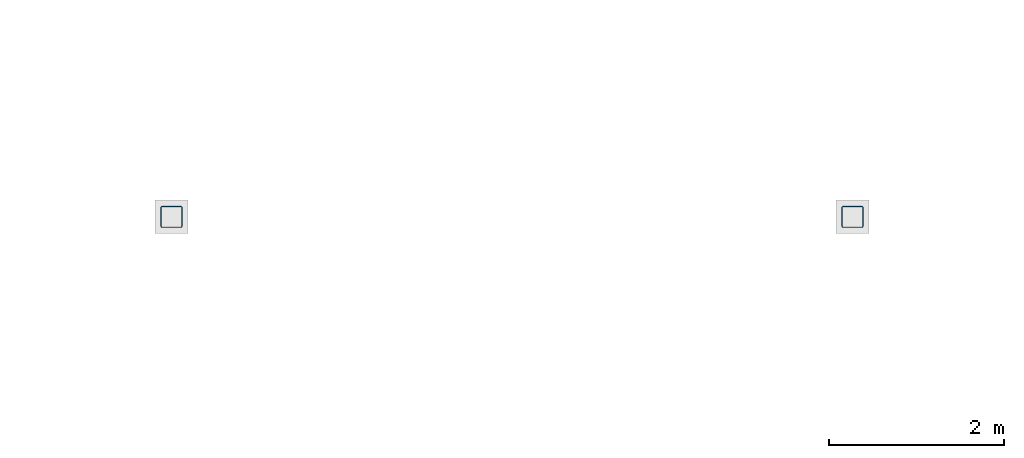
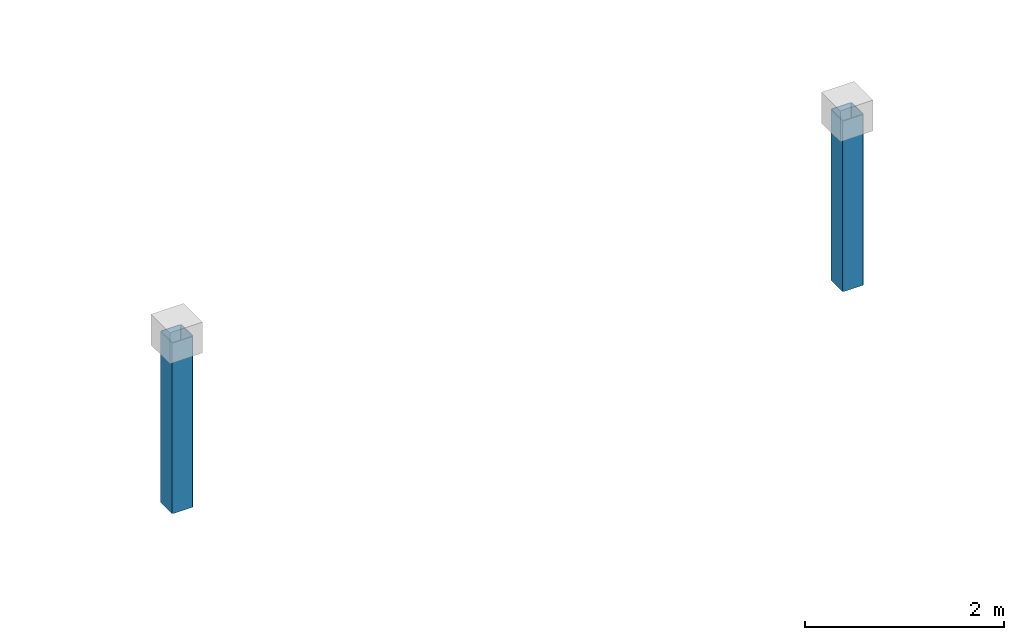
# One storey, part 2 of 17: 2 columns.
"""IFC4 building model written with IfcOpenShell, lengths in metres."""

from ifc_helpers import new_model, si_unit, direction, frame, origin, origin_2d, place, context, subcontext, project, spatial, hollow_rectangle, extrude, material, material_profile, profile_set, type_object, element, save


model = new_model("IFC4")

# Units and contexts
model_context = context("Model", 3, precision=1e-05, world=origin(), true_north=direction((0.0, 1.0)))
body_context = subcontext(model_context, "Body", "Model", "MODEL_VIEW")
ifc_project = project(units=[si_unit("LENGTHUNIT", "METRE"), si_unit("AREAUNIT", "SQUARE_METRE"), si_unit("VOLUMEUNIT", "CUBIC_METRE"), si_unit("PLANEANGLEUNIT", "RADIAN"), si_unit("MASSUNIT", "GRAM", prefix="KILO")], contexts=[model_context])

# Site, building, storey
site_placement = place(None, origin())
site = spatial("IfcSite", under=ifc_project, at=site_placement, CompositionType="ELEMENT")
building_placement = place(site_placement, origin())
building = spatial("IfcBuilding", under=site, at=building_placement, Name="Varnakota Cinema and Media Centre", CompositionType="ELEMENT")
storey_placement = place(building_placement, frame((0.0, 0.0, 22.35009765625)))
storey = spatial("IfcBuildingStorey", under=building, at=storey_placement, Name="L06", CompositionType="ELEMENT", Elevation=22.35009765625)

# Columns
ifc_material = material(Name="Structural steel S355 (YSt 355)", Category="steel")
ifc_material_profile = material_profile(ifc_material, hollow_rectangle(XDim=0.25, YDim=0.25, WallThickness=0.010009765625, InnerFilletRadius=0.010009765625, OuterFilletRadius=0.02001953125, at=origin_2d()), Name="SHS 250x250x10")
ifc_profile_set = profile_set([ifc_material_profile], Name="Structural steel S355 (YSt 355)")
column_type = type_object("IfcColumnType", Name="COL-ST-SHS250", PredefinedType="COLUMN", material=ifc_profile_set)
for number, where, z_axis, x_axis, name in (
    (1, (51.60009765625, 17.60009765625, 0.0), (0.0, 0.0, 1.0), (1.0, 0.0, 0.0), "V3 amphitheatre canopy column 1 Y=17.6"),
    (2, (59.39990234375, 17.60009765625, 0.0), (0.0, 0.0, 1.0), (1.0, 0.0, 0.0), "V3 amphitheatre canopy column 2 Y=17.6"),
):
    element("IfcColumn", number, at=place(storey_placement, frame(where, z_axis=z_axis, x_axis=x_axis)), inside=storey, type_object=column_type, Name=name, PredefinedType="COLUMN", context=body_context, shape_type="SweptSolid", body=[
        extrude(hollow_rectangle(XDim=0.25, YDim=0.25, WallThickness=0.010009765625, InnerFilletRadius=0.010009765625, OuterFilletRadius=0.02001953125, at=origin_2d()), origin(), (0.0, 0.0, 1.0), 2.099853515625),
    ])

save(model, "model.ifc")
